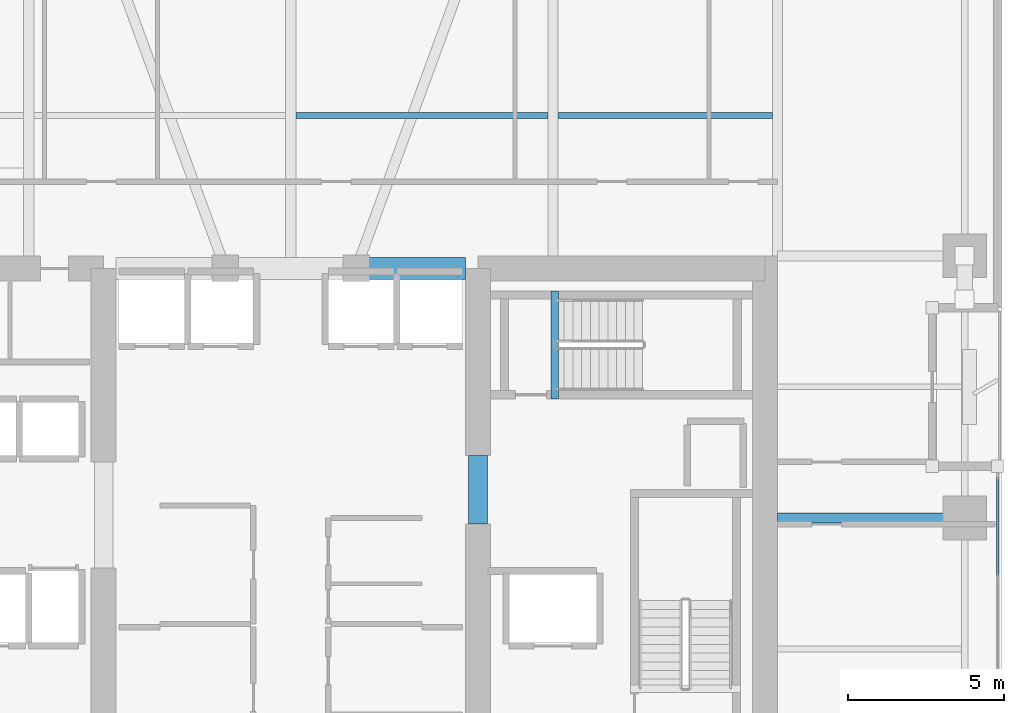
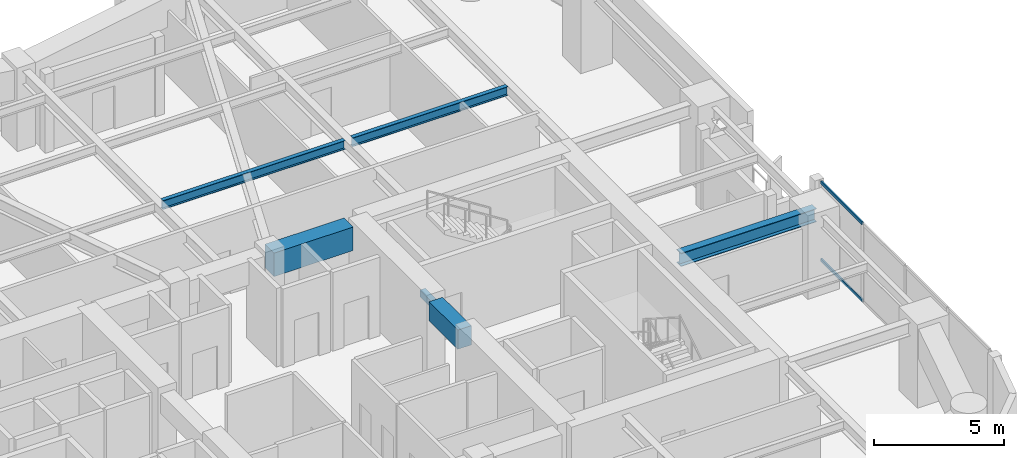
# One storey, part 10 of 30: 6 beams, 2 members, 1 element without a shape of its own.
"""IFC4 building model written with IfcOpenShell, lengths in metres."""

from ifc_helpers import new_model, si_unit, direction, frame, origin, origin_2d, place, context, subcontext, project, spatial, rectangle, hollow_rectangle, i_section, extrude, material, layer, layer_set, material_profile, profile_set, type_object, element, aggregate, save


model = new_model("IFC4")

# Units and contexts
model_context = context("Model", 3, precision=1e-05, world=origin(), true_north=direction((0.0, 1.0)))
body_context = subcontext(model_context, "Body", "Model", "MODEL_VIEW")
ifc_project = project(units=[si_unit("LENGTHUNIT", "METRE"), si_unit("AREAUNIT", "SQUARE_METRE"), si_unit("VOLUMEUNIT", "CUBIC_METRE"), si_unit("PLANEANGLEUNIT", "RADIAN"), si_unit("MASSUNIT", "GRAM", prefix="KILO")], contexts=[model_context])

# Site, building, storey
site_placement = place(None, origin())
site = spatial("IfcSite", under=ifc_project, at=site_placement, CompositionType="ELEMENT")
building_placement = place(site_placement, origin())
building = spatial("IfcBuilding", under=site, at=building_placement, Name="Kiyonajd Concourse Tower", CompositionType="ELEMENT")
storey_placement = place(building_placement, frame((0.0, 0.0, 154.5)))
storey = spatial("IfcBuildingStorey", under=building, at=storey_placement, Name="L39", CompositionType="ELEMENT", Elevation=154.5)

# Beams
ifc_material_1 = material(Name="Concrete C70/85", Category="concrete")
ifc_material_profile_1 = material_profile(ifc_material_1, rectangle(XDim=0.699951171875, YDim=1.10009765625, at=origin_2d()), Name="RCBM-700x1100")
ifc_profile_set_1 = profile_set([ifc_material_profile_1], Name="Concrete C70/85")
beam_type_1 = type_object("IfcBeamType", Name="BM-COUP-1100", PredefinedType="LINTEL", material=ifc_profile_set_1)
beam_1_placement = place(storey_placement, frame((50.10009765625, 44.0, 3.1298828125), z_axis=(1.0, 0.0, 0.0), x_axis=(0.0, 1.0, 0.0)))
element("IfcBeam", 1, at=beam_1_placement, inside=storey, type_object=beam_type_1, Name="L39 Core Coupling Beam N3", PredefinedType="LINTEL", context=body_context, shape_type="SweptSolid", body=[
    extrude(rectangle(XDim=0.699951171875, YDim=1.10009765625, at=origin_2d()), origin(), (0.0, 0.0, 1.0), 3.5),
])
ifc_material_2 = material(Name="Concrete C60/75", Category="concrete")
ifc_material_profile_2 = material_profile(ifc_material_2, rectangle(XDim=0.60009765625, YDim=0.89990234375, at=origin_2d()), Name="RCBM-600x900")
ifc_profile_set_2 = profile_set([ifc_material_profile_2], Name="Concrete C60/75")
beam_type_2 = type_object("IfcBeamType", Name="BM-COUP-900", PredefinedType="LINTEL", material=ifc_profile_set_2)
beam_2_placement = place(storey_placement, frame((54.0, 35.800048828125, 3.1298828125), z_axis=(0.0, 1.0, 0.0), x_axis=(-1.0, 0.0, 0.0)))
element("IfcBeam", 2, at=beam_2_placement, inside=storey, type_object=beam_type_2, Name="L39 East Core Throat Coupling Lintel", PredefinedType="LINTEL", context=body_context, shape_type="SweptSolid", body=[
    extrude(rectangle(XDim=0.60009765625, YDim=0.89990234375, at=origin_2d()), origin(), (0.0, 0.0, 1.0), 2.199951171875),
])
ifc_material_3 = material(Name="Steel ASTM A992 Grade 50", Category="steel")
ifc_material_profile_3 = material_profile(ifc_material_3, i_section(OverallWidth=0.180908203125, OverallDepth=0.4169921875, WebThickness=0.010986328125, FlangeThickness=0.018310546875, at=origin_2d()), Name="W410X85")
ifc_profile_set_3 = profile_set([ifc_material_profile_3], Name="Steel ASTM A992 Grade 50")
beam_type_3 = type_object("IfcBeamType", Name="BM-JST-410", PredefinedType="JOIST", material=ifc_profile_set_3)
beam_3_placement = place(storey_placement, frame((48.16357421875, 48.89990234375, 3.471435546875), z_axis=(1.0, 0.0, 0.0), x_axis=(0.0, 1.0, 0.0)))
element("IfcBeam", 3, at=beam_3_placement, inside=storey, type_object=beam_type_3, Name="L39 Secondary Floor Joist", PredefinedType="JOIST", context=body_context, shape_type="SweptSolid", body=[
    extrude(i_section(OverallWidth=0.180908203125, OverallDepth=0.4169921875, WebThickness=0.010986328125, FlangeThickness=0.018310546875, at=origin_2d()), origin(), (0.0, 0.0, 1.0), 8.072998046875),
])
beam_4_placement = place(storey_placement, frame((56.5634765625, 48.89990234375, 3.471435546875), z_axis=(1.0, 0.0, 0.0), x_axis=(0.0, 1.0, 0.0)))
element("IfcBeam", 4, at=beam_4_placement, inside=storey, type_object=beam_type_3, Name="L39 Secondary Floor Joist", PredefinedType="JOIST", context=body_context, shape_type="SweptSolid", body=[
    extrude(i_section(OverallWidth=0.180908203125, OverallDepth=0.4169921875, WebThickness=0.010986328125, FlangeThickness=0.018310546875, at=origin_2d()), origin(), (0.0, 0.0, 1.0), 6.873046875),
])
ifc_material_4 = material(Name="Concrete C50/60", Category="concrete")
ifc_material_profile_4 = material_profile(ifc_material_4, rectangle(XDim=0.239990234375, YDim=0.320068359375, at=origin_2d()), Name="RCBM-240x320")
ifc_profile_set_4 = profile_set([ifc_material_profile_4], Name="Concrete C50/60")
beam_type_4 = type_object("IfcBeamType", Name="BM-LNT-250", PredefinedType="LINTEL", material=ifc_profile_set_4)
beam_5_placement = place(storey_placement, frame((56.4599609375, 39.820068359375, -0.159912109375), z_axis=(0.0, 1.0, 0.0), x_axis=(-1.0, 0.0, 0.0)))
element("IfcBeam", 5, at=beam_5_placement, inside=storey, type_object=beam_type_4, Name="L39 Stair ST3 Threshold Support Beam", PredefinedType="LINTEL", context=body_context, shape_type="SweptSolid", body=[
    extrude(rectangle(XDim=0.239990234375, YDim=0.320068359375, at=origin_2d()), origin(), (0.0, 0.0, 1.0), 3.4599609375),
])
ifc_material_profile_5 = material_profile(ifc_material_3, i_section(OverallWidth=0.326904296875, OverallDepth=0.6220703125, WebThickness=0.015380859375, FlangeThickness=0.0244140625, at=origin_2d()), Name="W610X195")
ifc_profile_set_5 = profile_set([ifc_material_profile_5], Name="Steel ASTM A992 Grade 50")
beam_type_5 = type_object("IfcBeamType", Name="BM-TWR-610A", PredefinedType="BEAM", material=ifc_profile_set_5)
beam_6_placement = place(storey_placement, frame((63.60009765625, 36.0, 3.368896484375), z_axis=(1.0, 0.0, 0.0), x_axis=(0.0, 1.0, 0.0)))
element("IfcBeam", 6, at=beam_6_placement, inside=storey, type_object=beam_type_5, Name="L39 East Lease Girder", PredefinedType="BEAM", context=body_context, shape_type="SweptSolid", body=[
    extrude(i_section(OverallWidth=0.326904296875, OverallDepth=0.6220703125, WebThickness=0.015380859375, FlangeThickness=0.0244140625, at=origin_2d()), origin(), (0.0, 0.0, 1.0), 6.0),
])

# Curtain wall, members
ifc_material_5 = material(Name="Thermally Broken Anodised Aluminium", Category="aluminium")
ifc_layer = layer(ifc_material_5, 0.179931640625)
ifc_layer_set = layer_set([ifc_layer], Name="Thermally Broken Anodised Aluminium")
curtain_wall_type = type_object("IfcCurtainWallType", Name="CW-SYS-03", PredefinedType="NOTDEFINED", material=ifc_layer_set)
curtain_wall_placement = place(storey_placement, origin())
curtain_wall = element("IfcCurtainWall", 7, at=curtain_wall_placement, inside=storey, type_object=curtain_wall_type, Name="L39 Unitised Curtain Wall CW3", PredefinedType="NOTDEFINED")
ifc_material_profile_6 = material_profile(ifc_material_5, hollow_rectangle(XDim=0.06494140625, YDim=0.139892578125, WallThickness=0.00390625, at=origin_2d()), Name="TRAN-65x140")
ifc_profile_set_6 = profile_set([ifc_material_profile_6], Name="Thermally Broken Anodised Aluminium")
member_type = type_object("IfcMemberType", Name="MB-CW-TRAN1", PredefinedType="USERDEFINED", material=ifc_profile_set_6)
member_1_placement = place(storey_placement, frame((70.659912109375, 37.304931640625, 0.032470703125), z_axis=(0.0, -1.0, 0.0), x_axis=(1.0, 0.0, 0.0)))
member_1 = element("IfcMember", 8, at=member_1_placement, type_object=member_type, Name="CW3 transom 1.1", ObjectType="TRANSOM", PredefinedType="USERDEFINED", context=body_context, shape_type="SweptSolid", body=[
    extrude(hollow_rectangle(XDim=0.06494140625, YDim=0.139892578125, WallThickness=0.00390625, at=origin_2d()), origin(), (0.0, 0.0, 1.0), 3.167724609375),
])
member_2_placement = place(storey_placement, frame((70.659912109375, 37.304931640625, 3.6474609375), z_axis=(0.0, -1.0, 0.0), x_axis=(1.0, 0.0, 0.0)))
member_2 = element("IfcMember", 9, at=member_2_placement, type_object=member_type, Name="CW3 transom 1.2", ObjectType="TRANSOM", PredefinedType="USERDEFINED", context=body_context, shape_type="SweptSolid", body=[
    extrude(hollow_rectangle(XDim=0.06494140625, YDim=0.139892578125, WallThickness=0.00390625, at=origin_2d()), origin(), (0.0, 0.0, 1.0), 3.167724609375),
])
aggregate(curtain_wall, [member_1, member_2])

save(model, "model.ifc")
